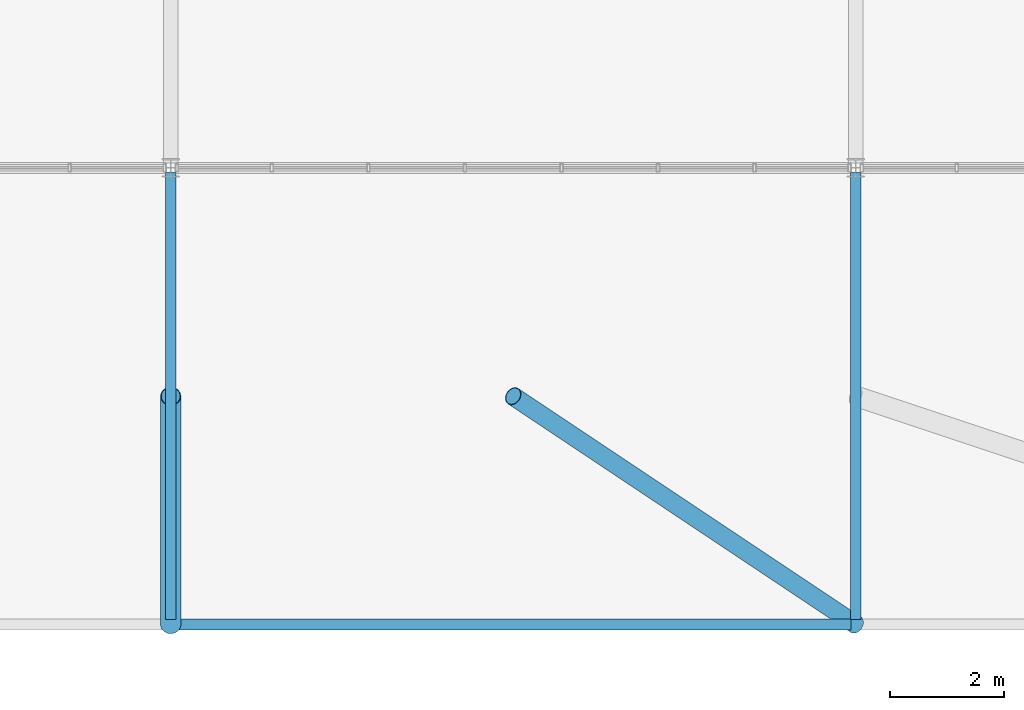
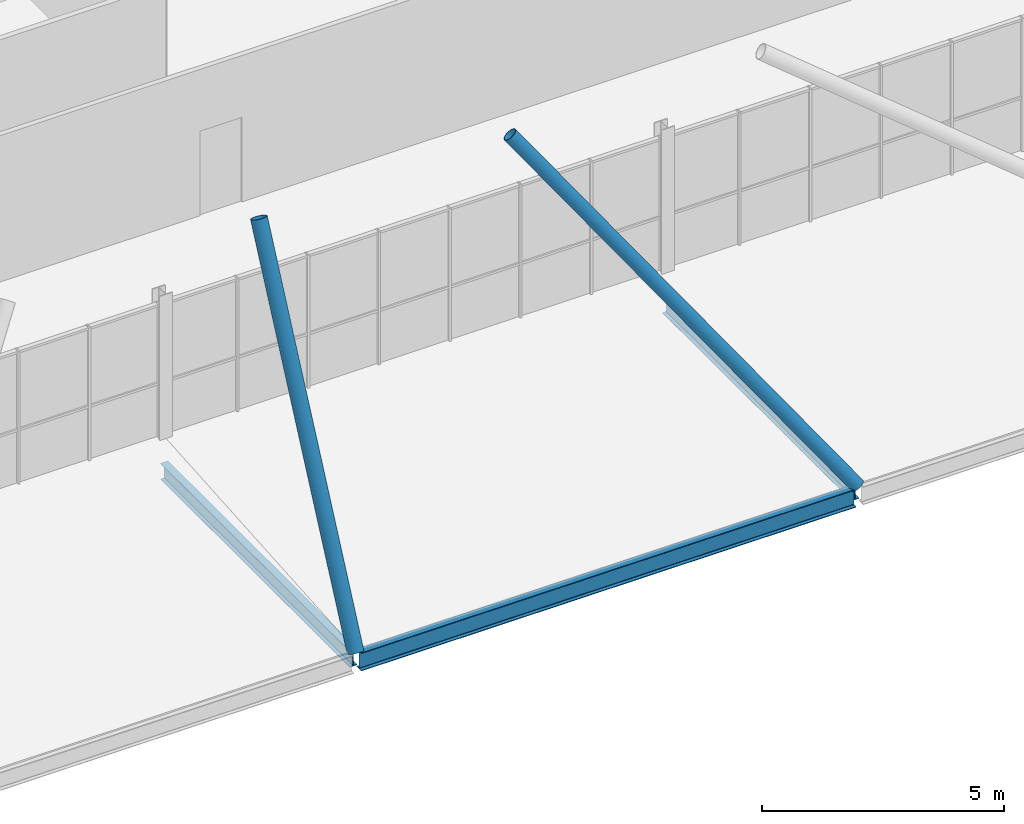
# One storey, part 185 of 324: 3 beams, 2 members.
"""IFC4 building model written with IfcOpenShell, lengths in metres."""

from ifc_helpers import new_model, si_unit, direction, frame, origin, origin_2d, place, context, subcontext, project, spatial, hollow_circle, i_section, extrude, material, material_profile, profile_set, type_object, element, save


model = new_model("IFC4")

# Units and contexts
model_context = context("Model", 3, precision=1e-05, world=origin(), true_north=direction((0.0, 1.0)))
body_context = subcontext(model_context, "Body", "Model", "MODEL_VIEW")
ifc_project = project(units=[si_unit("LENGTHUNIT", "METRE"), si_unit("AREAUNIT", "SQUARE_METRE"), si_unit("VOLUMEUNIT", "CUBIC_METRE"), si_unit("PLANEANGLEUNIT", "RADIAN"), si_unit("MASSUNIT", "GRAM", prefix="KILO")], contexts=[model_context])

# Site, building, storey
site_placement = place(None, origin())
site = spatial("IfcSite", under=ifc_project, at=site_placement, CompositionType="ELEMENT")
building_placement = place(site_placement, origin())
building = spatial("IfcBuilding", under=site, at=building_placement, Name="Solvenia Promenade Tram Depot", CompositionType="ELEMENT")
storey_placement = place(building_placement, frame((0.0, 0.0, 4.5)))
storey = spatial("IfcBuildingStorey", under=building, at=storey_placement, Name="L01", CompositionType="ELEMENT", Elevation=4.5)

# Beams
ifc_material_1 = material(Name="Structural steel ASTM A992 Gr. 50", Category="steel")
ifc_material_profile_1 = material_profile(ifc_material_1, i_section(OverallWidth=0.178955078125, OverallDepth=0.409912109375, WebThickness=0.0087890625, FlangeThickness=0.014404296875, FilletRadius=0.011962890625, at=origin_2d()), Name="W410x67", Category="steel")
ifc_profile_set_1 = profile_set([ifc_material_profile_1], Name="Structural steel ASTM A992 Gr. 50")
beam_type_1 = type_object("IfcBeamType", Name="Beam-W410x67", PredefinedType="BEAM", material=ifc_profile_set_1)
for number, where, z_axis, x_axis, name in (
    (1, (162.0, 0.0849609375, -0.205078125), (0.0, 1.0, 0.0), (-1.0, 0.0, 0.0), "Colonnade Canopy Cross Beam BM-L01-0953"),
    (2, (174.0, 0.0849609375, -0.205078125), (0.0, 1.0, 0.0), (-1.0, 0.0, 0.0), "Colonnade Canopy Cross Beam BM-L01-0955"),
):
    element("IfcBeam", number, at=place(storey_placement, frame(where, z_axis=z_axis, x_axis=x_axis)), inside=storey, type_object=beam_type_1, Name=name, PredefinedType="BEAM", context=body_context, shape_type="SweptSolid", body=[
        extrude(i_section(OverallWidth=0.178955078125, OverallDepth=0.409912109375, WebThickness=0.0087890625, FlangeThickness=0.014404296875, FilletRadius=0.011962890625, at=origin_2d()), origin(), (0.0, 0.0, 1.0), 7.830078125),
    ])

# Members
ifc_material_2 = material(Name="Structural steel ASTM A500 Gr. C", Category="steel")
ifc_material_profile_2 = material_profile(ifc_material_2, hollow_circle(Radius=0.161865234375, WallThickness=0.010009765625, at=origin_2d()), Name="CHS323.9x10", Category="steel")
ifc_profile_set_2 = profile_set([ifc_material_profile_2], Name="Structural steel ASTM A500 Gr. C")
member_type_1 = type_object("IfcMemberType", Name="SailRib-CHS324x10", PredefinedType="RAFTER", material=ifc_profile_set_2)
member_1_placement = place(storey_placement, frame((174.0, 0.0, 0.0), z_axis=(-0.536434630594, 0.357623087063, 0.764423714113), x_axis=(-0.554700196225, -0.832050294338, 0.0)))
element("IfcMember", 3, at=member_1_placement, inside=storey, type_object=member_type_1, Name="Entrance Sail Lower Rib 04", PredefinedType="RAFTER", context=body_context, shape_type="SweptSolid", body=[
    extrude(hollow_circle(Radius=0.161865234375, WallThickness=0.010009765625, at=origin_2d()), origin(), (0.0, 0.0, 1.0), 11.18505859375),
])
ifc_material_profile_3 = material_profile(ifc_material_2, hollow_circle(Radius=0.177734375, WallThickness=0.012451171875, at=origin_2d()), Name="CHS355.6x12.5", Category="steel")
ifc_profile_set_3 = profile_set([ifc_material_profile_3], Name="Structural steel ASTM A500 Gr. C")
member_type_2 = type_object("IfcMemberType", Name="SailRib-CHS355x12", PredefinedType="RAFTER", material=ifc_profile_set_3)
member_2_placement = place(storey_placement, frame((162.0, 0.0, 0.0), z_axis=(0.0, 0.423753220427, 0.905777681431), x_axis=(-1.0, 0.0, 0.0)))
element("IfcMember", 4, at=member_2_placement, inside=storey, type_object=member_type_2, Name="Entrance Sail Lower Rib 03", PredefinedType="RAFTER", context=body_context, shape_type="SweptSolid", body=[
    extrude(hollow_circle(Radius=0.177734375, WallThickness=0.012451171875, at=origin_2d()), origin(), (0.0, 0.0, 1.0), 9.439453125),
])

# Beam
ifc_material_profile_4 = material_profile(ifc_material_1, i_section(OverallWidth=0.19091796875, OverallDepth=0.4599609375, WebThickness=0.010009765625, FlangeThickness=0.01611328125, FilletRadius=0.012939453125, at=origin_2d()), Name="W460x82", Category="steel")
ifc_profile_set_4 = profile_set([ifc_material_profile_4], Name="Structural steel ASTM A992 Gr. 50")
beam_type_2 = type_object("IfcBeamType", Name="Spandrel-W460x82", PredefinedType="SPANDREL", material=ifc_profile_set_4)
beam_placement = place(storey_placement, frame((162.0849609375, 0.0, -0.22998046875), z_axis=(1.0, 0.0, 0.0), x_axis=(0.0, 1.0, 0.0)))
element("IfcBeam", 5, at=beam_placement, inside=storey, type_object=beam_type_2, Name="Colonnade Sail Base Girder BM-L01-0952", PredefinedType="SPANDREL", context=body_context, shape_type="SweptSolid", body=[
    extrude(i_section(OverallWidth=0.19091796875, OverallDepth=0.4599609375, WebThickness=0.010009765625, FlangeThickness=0.01611328125, FilletRadius=0.012939453125, at=origin_2d()), origin(), (0.0, 0.0, 1.0), 11.830078125),
])

save(model, "model.ifc")
